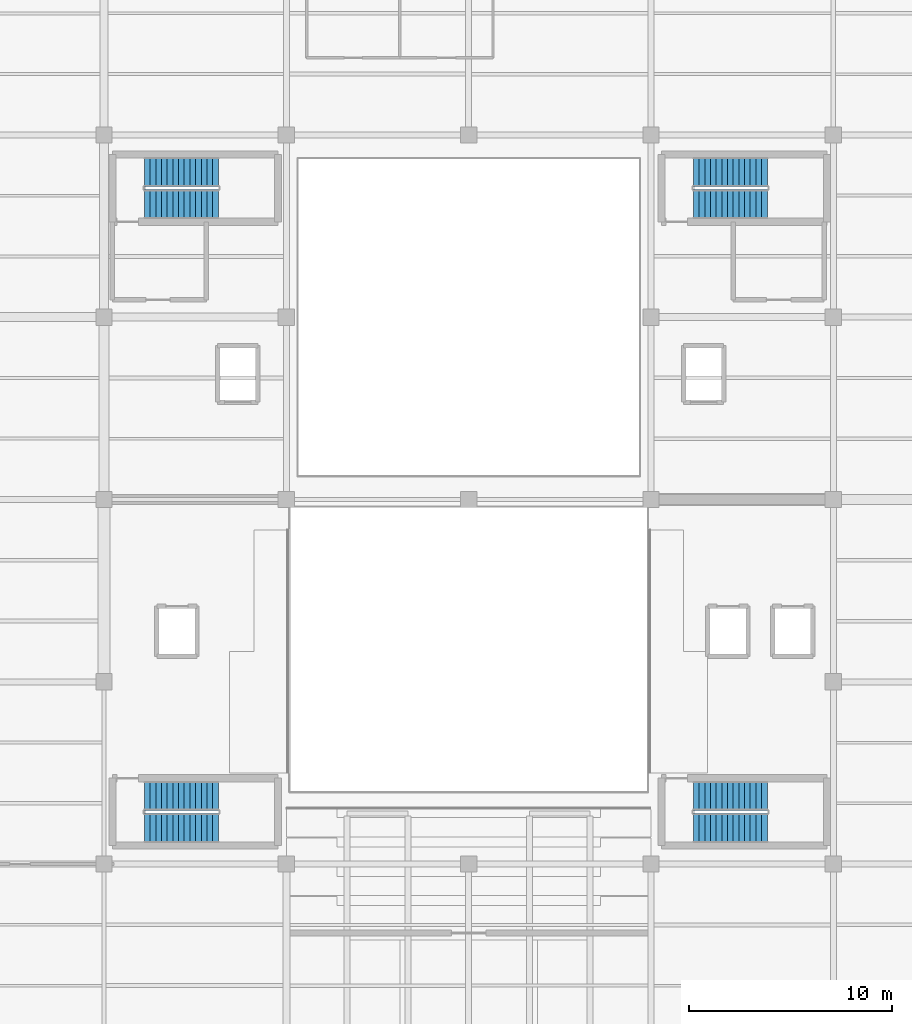
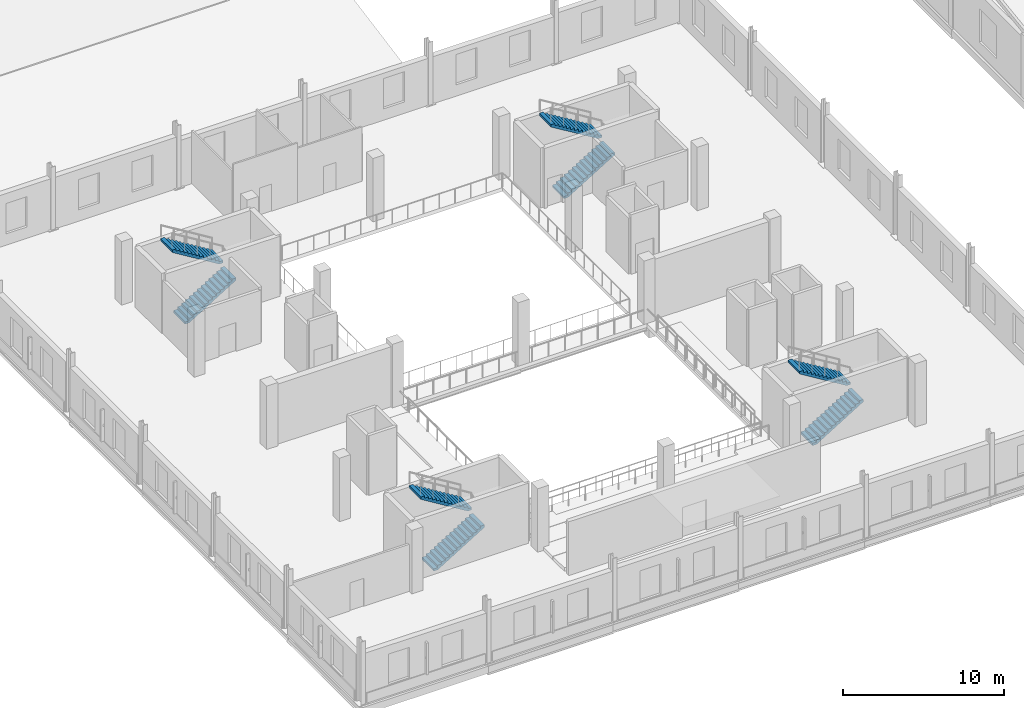
# One storey, part 23 of 35: 8 stair flights, 4 elements without a shape of their own.
"""IFC4 building model written with IfcOpenShell, lengths in metres."""

from ifc_helpers import new_model, si_unit, direction, frame, origin, place, context, subcontext, project, spatial, polyline, outline, extrude, material, type_object, element, aggregate, save


model = new_model("IFC4")

# Units and contexts
model_context = context("Model", 3, precision=1e-05, world=origin(), true_north=direction((0.0, 1.0)))
body_context = subcontext(model_context, "Body", "Model", "MODEL_VIEW")
ifc_project = project(units=[si_unit("LENGTHUNIT", "METRE"), si_unit("AREAUNIT", "SQUARE_METRE"), si_unit("VOLUMEUNIT", "CUBIC_METRE"), si_unit("PLANEANGLEUNIT", "RADIAN"), si_unit("MASSUNIT", "GRAM", prefix="KILO")], contexts=[model_context])

# Site, building, storey
site_placement = place(None, origin())
site = spatial("IfcSite", under=ifc_project, at=site_placement, CompositionType="ELEMENT")
building_placement = place(site_placement, origin())
building = spatial("IfcBuilding", under=site, at=building_placement, Name="Sundgate Opera House", CompositionType="ELEMENT")
storey_placement = place(building_placement, frame((0.0, 0.0, 21.60009765625)))
storey = spatial("IfcBuildingStorey", under=building, at=storey_placement, Name="L04", CompositionType="ELEMENT", Elevation=21.60009765625)

# Stair, stair flights
ifc_material_1 = material(Name="Concrete C35/45", Category="concrete")
stair_type = type_object("IfcStairType", Name="ST-HT-28R-1450", PredefinedType="HALF_TURN_STAIR", material=ifc_material_1)
stair_1_placement = place(storey_placement, origin())
stair_1 = element("IfcStair", 1, at=stair_1_placement, inside=storey, type_object=stair_type, Name="L04 Escape Stair ST-01", PredefinedType="HALF_TURN_STAIR")
ifc_material_2 = material(Name="Concrete C35/45", Category="concrete")
stair_flight_type = type_object("IfcStairFlightType", Name="SF-STR-14R-1450", PredefinedType="STRAIGHT", material=ifc_material_2)
stair_flight_1_placement = place(storey_placement, frame((38.0, 43.77490234375, 0.0), z_axis=(0.0, 0.0, 1.0), x_axis=(1.0, 0.0, 0.0)))
stair_flight_1 = element("IfcStairFlight", 2, at=stair_flight_1_placement, type_object=stair_flight_type, Name="ST01L04 Flight 1", NumberOfRisers=14, NumberOfTreads=13, PredefinedType="STRAIGHT", RiserHeight=0.171428571, TreadLength=0.28, context=body_context, shape_type="SweptSolid", body=[
    extrude(outline(polyline([(0.0, 0.0), (0.0, 0.17138671875), (0.280029296875, 0.17138671875), (0.280029296875, 0.3427734375), (0.56005859375, 0.3427734375), (0.56005859375, 0.514404296875), (0.840087890625, 0.514404296875), (0.840087890625, 0.685791015625), (1.1201171875, 0.685791015625), (1.1201171875, 0.857177734375), (1.39990234375, 0.857177734375), (1.39990234375, 1.028564453125), (1.679931640625, 1.028564453125), (1.679931640625, 1.199951171875), (1.9599609375, 1.199951171875), (1.9599609375, 1.371337890625), (2.239990234375, 1.371337890625), (2.239990234375, 1.54296875), (2.52001953125, 1.54296875), (2.52001953125, 1.71435546875), (2.800048828125, 1.71435546875), (2.800048828125, 1.8857421875), (3.080078125, 1.8857421875), (3.080078125, 2.05712890625), (3.360107421875, 2.05712890625), (3.360107421875, 2.228515625), (3.639892578125, 2.228515625), (3.639892578125, 2.39990234375), (3.639892578125, 2.052734375), (0.287109375, 0.0), (0.0, 0.0)])), frame((0.0, 0.72509765625, 0.0), z_axis=(0.0, -1.0, 0.0), x_axis=(1.0, 0.0, 0.0)), (0.0, 0.0, 1.0), 1.449951171875),
])
stair_flight_2_placement = place(storey_placement, frame((41.639892578125, 45.375, 2.39990234375), z_axis=(0.0, 0.0, 1.0), x_axis=(-1.0, 0.0, 0.0)))
stair_flight_2 = element("IfcStairFlight", 3, at=stair_flight_2_placement, type_object=stair_flight_type, Name="ST01L04 Flight 2", NumberOfRisers=14, NumberOfTreads=13, PredefinedType="STRAIGHT", RiserHeight=0.171428571, TreadLength=0.28, context=body_context, shape_type="SweptSolid", body=[
    extrude(outline(polyline([(0.0, 0.0), (0.0, 0.17138671875), (0.280029296875, 0.17138671875), (0.280029296875, 0.3427734375), (0.56005859375, 0.3427734375), (0.56005859375, 0.514404296875), (0.840087890625, 0.514404296875), (0.840087890625, 0.685791015625), (1.1201171875, 0.685791015625), (1.1201171875, 0.857177734375), (1.39990234375, 0.857177734375), (1.39990234375, 1.028564453125), (1.679931640625, 1.028564453125), (1.679931640625, 1.199951171875), (1.9599609375, 1.199951171875), (1.9599609375, 1.371337890625), (2.239990234375, 1.371337890625), (2.239990234375, 1.54296875), (2.52001953125, 1.54296875), (2.52001953125, 1.71435546875), (2.800048828125, 1.71435546875), (2.800048828125, 1.8857421875), (3.080078125, 1.8857421875), (3.080078125, 2.05712890625), (3.360107421875, 2.05712890625), (3.360107421875, 2.228515625), (3.639892578125, 2.228515625), (3.639892578125, 2.39990234375), (3.639892578125, 2.052734375), (0.287109375, 0.0), (0.0, 0.0)])), frame((0.0, 0.72509765625, 0.0), z_axis=(0.0, -1.0, 0.0), x_axis=(1.0, 0.0, 0.0)), (0.0, 0.0, 1.0), 1.449951171875),
])
aggregate(stair_1, [stair_flight_1, stair_flight_2])

stair_2_placement = place(storey_placement, origin())
stair_2 = element("IfcStair", 4, at=stair_2_placement, inside=storey, type_object=stair_type, Name="L04 Escape Stair ST-02", PredefinedType="HALF_TURN_STAIR")
stair_flight_3_placement = place(storey_placement, frame((38.0, 74.574951171875, 0.0), z_axis=(0.0, 0.0, 1.0), x_axis=(1.0, 0.0, 0.0)))
stair_flight_3 = element("IfcStairFlight", 5, at=stair_flight_3_placement, type_object=stair_flight_type, Name="ST02L04 Flight 1", NumberOfRisers=14, NumberOfTreads=13, PredefinedType="STRAIGHT", RiserHeight=0.171428571, TreadLength=0.28, context=body_context, shape_type="SweptSolid", body=[
    extrude(outline(polyline([(0.0, 0.0), (0.0, 0.17138671875), (0.280029296875, 0.17138671875), (0.280029296875, 0.3427734375), (0.56005859375, 0.3427734375), (0.56005859375, 0.514404296875), (0.840087890625, 0.514404296875), (0.840087890625, 0.685791015625), (1.1201171875, 0.685791015625), (1.1201171875, 0.857177734375), (1.39990234375, 0.857177734375), (1.39990234375, 1.028564453125), (1.679931640625, 1.028564453125), (1.679931640625, 1.199951171875), (1.9599609375, 1.199951171875), (1.9599609375, 1.371337890625), (2.239990234375, 1.371337890625), (2.239990234375, 1.54296875), (2.52001953125, 1.54296875), (2.52001953125, 1.71435546875), (2.800048828125, 1.71435546875), (2.800048828125, 1.8857421875), (3.080078125, 1.8857421875), (3.080078125, 2.05712890625), (3.360107421875, 2.05712890625), (3.360107421875, 2.228515625), (3.639892578125, 2.228515625), (3.639892578125, 2.39990234375), (3.639892578125, 2.052734375), (0.287109375, 0.0), (0.0, 0.0)])), frame((0.0, 0.72509765625, 0.0), z_axis=(0.0, -1.0, 0.0), x_axis=(1.0, 0.0, 0.0)), (0.0, 0.0, 1.0), 1.449951171875),
])
stair_flight_4_placement = place(storey_placement, frame((41.639892578125, 76.175048828125, 2.39990234375), z_axis=(0.0, 0.0, 1.0), x_axis=(-1.0, 0.0, 0.0)))
stair_flight_4 = element("IfcStairFlight", 6, at=stair_flight_4_placement, type_object=stair_flight_type, Name="ST02L04 Flight 2", NumberOfRisers=14, NumberOfTreads=13, PredefinedType="STRAIGHT", RiserHeight=0.171428571, TreadLength=0.28, context=body_context, shape_type="SweptSolid", body=[
    extrude(outline(polyline([(0.0, 0.0), (0.0, 0.17138671875), (0.280029296875, 0.17138671875), (0.280029296875, 0.3427734375), (0.56005859375, 0.3427734375), (0.56005859375, 0.514404296875), (0.840087890625, 0.514404296875), (0.840087890625, 0.685791015625), (1.1201171875, 0.685791015625), (1.1201171875, 0.857177734375), (1.39990234375, 0.857177734375), (1.39990234375, 1.028564453125), (1.679931640625, 1.028564453125), (1.679931640625, 1.199951171875), (1.9599609375, 1.199951171875), (1.9599609375, 1.371337890625), (2.239990234375, 1.371337890625), (2.239990234375, 1.54296875), (2.52001953125, 1.54296875), (2.52001953125, 1.71435546875), (2.800048828125, 1.71435546875), (2.800048828125, 1.8857421875), (3.080078125, 1.8857421875), (3.080078125, 2.05712890625), (3.360107421875, 2.05712890625), (3.360107421875, 2.228515625), (3.639892578125, 2.228515625), (3.639892578125, 2.39990234375), (3.639892578125, 2.052734375), (0.287109375, 0.0), (0.0, 0.0)])), frame((0.0, 0.72509765625, 0.0), z_axis=(0.0, -1.0, 0.0), x_axis=(1.0, 0.0, 0.0)), (0.0, 0.0, 1.0), 1.449951171875),
])
aggregate(stair_2, [stair_flight_3, stair_flight_4])

stair_3_placement = place(storey_placement, origin())
stair_3 = element("IfcStair", 7, at=stair_3_placement, inside=storey, type_object=stair_type, Name="L04 Escape Stair ST-03", PredefinedType="HALF_TURN_STAIR")
stair_flight_5_placement = place(storey_placement, frame((65.10009765625, 43.77490234375, 0.0), z_axis=(0.0, 0.0, 1.0), x_axis=(1.0, 0.0, 0.0)))
stair_flight_5 = element("IfcStairFlight", 8, at=stair_flight_5_placement, type_object=stair_flight_type, Name="ST03L04 Flight 1", NumberOfRisers=14, NumberOfTreads=13, PredefinedType="STRAIGHT", RiserHeight=0.171428571, TreadLength=0.28, context=body_context, shape_type="SweptSolid", body=[
    extrude(outline(polyline([(0.0, 0.0), (0.0, 0.17138671875), (0.280029296875, 0.17138671875), (0.280029296875, 0.3427734375), (0.56005859375, 0.3427734375), (0.56005859375, 0.514404296875), (0.840087890625, 0.514404296875), (0.840087890625, 0.685791015625), (1.1201171875, 0.685791015625), (1.1201171875, 0.857177734375), (1.39990234375, 0.857177734375), (1.39990234375, 1.028564453125), (1.679931640625, 1.028564453125), (1.679931640625, 1.199951171875), (1.9599609375, 1.199951171875), (1.9599609375, 1.371337890625), (2.239990234375, 1.371337890625), (2.239990234375, 1.54296875), (2.52001953125, 1.54296875), (2.52001953125, 1.71435546875), (2.800048828125, 1.71435546875), (2.800048828125, 1.8857421875), (3.080078125, 1.8857421875), (3.080078125, 2.05712890625), (3.360107421875, 2.05712890625), (3.360107421875, 2.228515625), (3.639892578125, 2.228515625), (3.639892578125, 2.39990234375), (3.639892578125, 2.052734375), (0.287109375, 0.0), (0.0, 0.0)])), frame((0.0, 0.72509765625, 0.0), z_axis=(0.0, -1.0, 0.0), x_axis=(1.0, 0.0, 0.0)), (0.0, 0.0, 1.0), 1.449951171875),
])
stair_flight_6_placement = place(storey_placement, frame((68.739990234375, 45.375, 2.39990234375), z_axis=(0.0, 0.0, 1.0), x_axis=(-1.0, 0.0, 0.0)))
stair_flight_6 = element("IfcStairFlight", 9, at=stair_flight_6_placement, type_object=stair_flight_type, Name="ST03L04 Flight 2", NumberOfRisers=14, NumberOfTreads=13, PredefinedType="STRAIGHT", RiserHeight=0.171428571, TreadLength=0.28, context=body_context, shape_type="SweptSolid", body=[
    extrude(outline(polyline([(0.0, 0.0), (0.0, 0.17138671875), (0.280029296875, 0.17138671875), (0.280029296875, 0.3427734375), (0.56005859375, 0.3427734375), (0.56005859375, 0.514404296875), (0.840087890625, 0.514404296875), (0.840087890625, 0.685791015625), (1.1201171875, 0.685791015625), (1.1201171875, 0.857177734375), (1.39990234375, 0.857177734375), (1.39990234375, 1.028564453125), (1.679931640625, 1.028564453125), (1.679931640625, 1.199951171875), (1.9599609375, 1.199951171875), (1.9599609375, 1.371337890625), (2.239990234375, 1.371337890625), (2.239990234375, 1.54296875), (2.52001953125, 1.54296875), (2.52001953125, 1.71435546875), (2.800048828125, 1.71435546875), (2.800048828125, 1.8857421875), (3.080078125, 1.8857421875), (3.080078125, 2.05712890625), (3.360107421875, 2.05712890625), (3.360107421875, 2.228515625), (3.639892578125, 2.228515625), (3.639892578125, 2.39990234375), (3.639892578125, 2.052734375), (0.287109375, 0.0), (0.0, 0.0)])), frame((0.0, 0.72509765625, 0.0), z_axis=(0.0, -1.0, 0.0), x_axis=(1.0, 0.0, 0.0)), (0.0, 0.0, 1.0), 1.449951171875),
])
aggregate(stair_3, [stair_flight_5, stair_flight_6])

stair_4_placement = place(storey_placement, origin())
stair_4 = element("IfcStair", 10, at=stair_4_placement, inside=storey, type_object=stair_type, Name="L04 Escape Stair ST-04", PredefinedType="HALF_TURN_STAIR")
stair_flight_7_placement = place(storey_placement, frame((65.10009765625, 74.574951171875, 0.0), z_axis=(0.0, 0.0, 1.0), x_axis=(1.0, 0.0, 0.0)))
stair_flight_7 = element("IfcStairFlight", 11, at=stair_flight_7_placement, type_object=stair_flight_type, Name="ST04L04 Flight 1", NumberOfRisers=14, NumberOfTreads=13, PredefinedType="STRAIGHT", RiserHeight=0.171428571, TreadLength=0.28, context=body_context, shape_type="SweptSolid", body=[
    extrude(outline(polyline([(0.0, 0.0), (0.0, 0.17138671875), (0.280029296875, 0.17138671875), (0.280029296875, 0.3427734375), (0.56005859375, 0.3427734375), (0.56005859375, 0.514404296875), (0.840087890625, 0.514404296875), (0.840087890625, 0.685791015625), (1.1201171875, 0.685791015625), (1.1201171875, 0.857177734375), (1.39990234375, 0.857177734375), (1.39990234375, 1.028564453125), (1.679931640625, 1.028564453125), (1.679931640625, 1.199951171875), (1.9599609375, 1.199951171875), (1.9599609375, 1.371337890625), (2.239990234375, 1.371337890625), (2.239990234375, 1.54296875), (2.52001953125, 1.54296875), (2.52001953125, 1.71435546875), (2.800048828125, 1.71435546875), (2.800048828125, 1.8857421875), (3.080078125, 1.8857421875), (3.080078125, 2.05712890625), (3.360107421875, 2.05712890625), (3.360107421875, 2.228515625), (3.639892578125, 2.228515625), (3.639892578125, 2.39990234375), (3.639892578125, 2.052734375), (0.287109375, 0.0), (0.0, 0.0)])), frame((0.0, 0.72509765625, 0.0), z_axis=(0.0, -1.0, 0.0), x_axis=(1.0, 0.0, 0.0)), (0.0, 0.0, 1.0), 1.449951171875),
])
stair_flight_8_placement = place(storey_placement, frame((68.739990234375, 76.175048828125, 2.39990234375), z_axis=(0.0, 0.0, 1.0), x_axis=(-1.0, 0.0, 0.0)))
stair_flight_8 = element("IfcStairFlight", 12, at=stair_flight_8_placement, type_object=stair_flight_type, Name="ST04L04 Flight 2", NumberOfRisers=14, NumberOfTreads=13, PredefinedType="STRAIGHT", RiserHeight=0.171428571, TreadLength=0.28, context=body_context, shape_type="SweptSolid", body=[
    extrude(outline(polyline([(0.0, 0.0), (0.0, 0.17138671875), (0.280029296875, 0.17138671875), (0.280029296875, 0.3427734375), (0.56005859375, 0.3427734375), (0.56005859375, 0.514404296875), (0.840087890625, 0.514404296875), (0.840087890625, 0.685791015625), (1.1201171875, 0.685791015625), (1.1201171875, 0.857177734375), (1.39990234375, 0.857177734375), (1.39990234375, 1.028564453125), (1.679931640625, 1.028564453125), (1.679931640625, 1.199951171875), (1.9599609375, 1.199951171875), (1.9599609375, 1.371337890625), (2.239990234375, 1.371337890625), (2.239990234375, 1.54296875), (2.52001953125, 1.54296875), (2.52001953125, 1.71435546875), (2.800048828125, 1.71435546875), (2.800048828125, 1.8857421875), (3.080078125, 1.8857421875), (3.080078125, 2.05712890625), (3.360107421875, 2.05712890625), (3.360107421875, 2.228515625), (3.639892578125, 2.228515625), (3.639892578125, 2.39990234375), (3.639892578125, 2.052734375), (0.287109375, 0.0), (0.0, 0.0)])), frame((0.0, 0.72509765625, 0.0), z_axis=(0.0, -1.0, 0.0), x_axis=(1.0, 0.0, 0.0)), (0.0, 0.0, 1.0), 1.449951171875),
])
aggregate(stair_4, [stair_flight_7, stair_flight_8])

save(model, "model.ifc")
